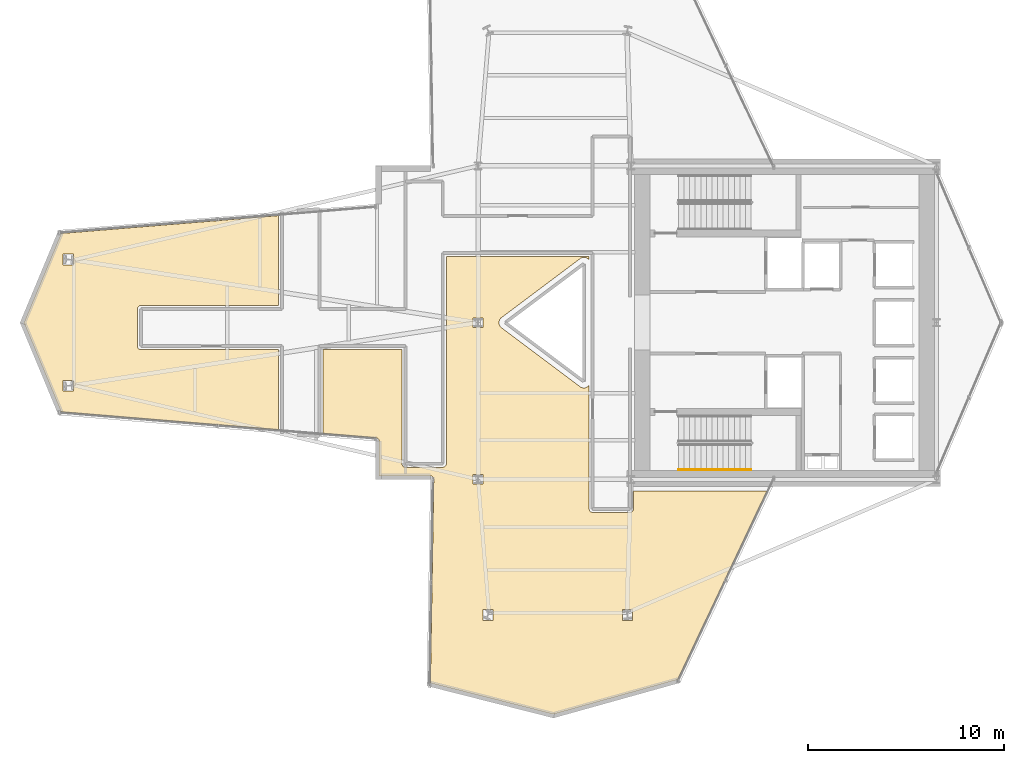
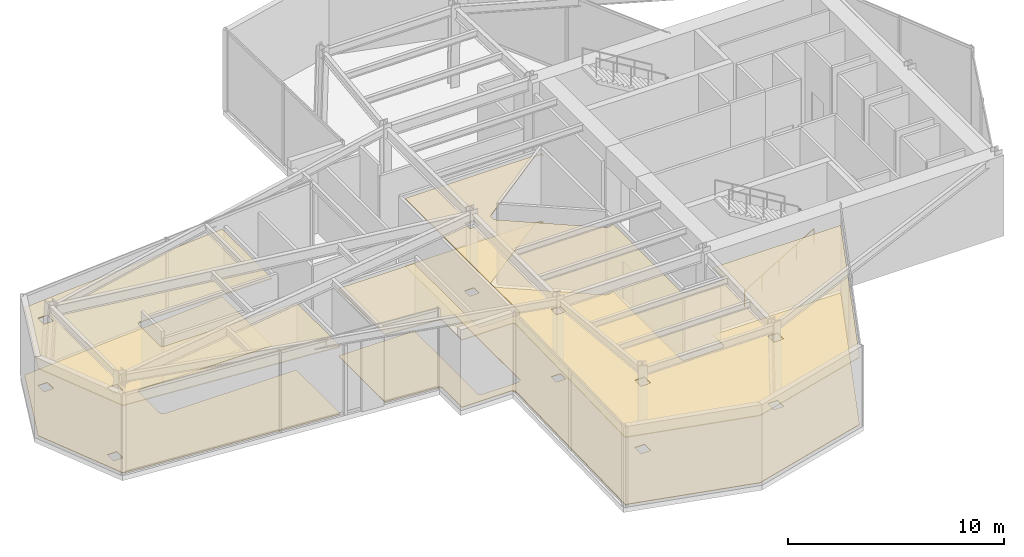
# One storey, part 12 of 13: 4 coverings, 1 railing.
"""IFC4 building model written with IfcOpenShell, lengths in metres."""

from ifc_helpers import new_model, si_unit, direction, frame, origin, origin_2d, place, context, subcontext, project, spatial, polyline, circle, outline, extrude, material, layer, layer_set, type_object, element, save


model = new_model("IFC4")

# Units and contexts
model_context = context("Model", 3, precision=1e-05, world=origin(), true_north=direction((0.0, 1.0)))
body_context = subcontext(model_context, "Body", "Model", "MODEL_VIEW")
ifc_project = project(units=[si_unit("LENGTHUNIT", "METRE"), si_unit("AREAUNIT", "SQUARE_METRE"), si_unit("VOLUMEUNIT", "CUBIC_METRE"), si_unit("PLANEANGLEUNIT", "RADIAN"), si_unit("MASSUNIT", "GRAM", prefix="KILO")], contexts=[model_context])

# Site, building, storey
site_placement = place(None, origin())
site = spatial("IfcSite", under=ifc_project, at=site_placement, CompositionType="ELEMENT")
building_placement = place(site_placement, origin())
building = spatial("IfcBuilding", under=site, at=building_placement, Name="Veymaron Broadcast Tower", CompositionType="ELEMENT")
storey_placement = place(building_placement, frame((0.0, 0.0, 112.050048828125)))
storey = spatial("IfcBuildingStorey", under=building, at=storey_placement, Name="L25", CompositionType="ELEMENT", Elevation=112.050048828125)

# Coverings
ifc_material_1 = material(Name="Micro-perforated dark-anodised aluminium baffle", Category="aluminium")
ifc_layer_1 = layer(ifc_material_1, 0.050048828125)
ifc_layer_set_1 = layer_set([ifc_layer_1], Name="Micro-perforated dark-anodised aluminium baffle")
covering_type_1 = type_object("IfcCoveringType", Name="COV-CEIL-MTL", PredefinedType="CEILING", material=ifc_layer_set_1)
covering_1_placement = place(storey_placement, frame((0.0, 0.0, 3.7900390625)))
element("IfcCovering", 1, at=covering_1_placement, inside=storey, type_object=covering_type_1, Name="L25 suspended acoustic ceiling 1", PredefinedType="CEILING", context=body_context, shape_type="SweptSolid", body=[
    extrude(outline(polyline([(27.43115234375, 16.6337890625), (27.44775390625, 16.627685546875), (27.46484375, 16.62353515625), (27.482421875, 16.620849609375), (27.5, 16.6201171875), (29.39990234375, 16.6201171875), (29.41748046875, 16.620849609375), (29.43505859375, 16.62353515625), (29.452392578125, 16.627685546875), (29.468994140625, 16.6337890625), (29.48486328125, 16.641357421875), (29.5, 16.650390625), (29.51416015625, 16.660888671875), (29.52734375, 16.672607421875), (29.5390625, 16.685791015625), (29.5498046875, 16.699951171875), (29.55859375, 16.715087890625), (29.56640625, 16.731201171875), (29.572265625, 16.747802734375), (29.576416015625, 16.764892578125), (29.5791015625, 16.782470703125), (29.580078125, 16.800048828125), (29.580078125, 27.3701171875), (36.8701171875, 27.3701171875), (36.8701171875, 27.189453125), (36.863037109375, 27.198974609375), (36.852294921875, 27.212646484375), (36.8427734375, 27.223388671875), (36.830810546875, 27.23583984375), (36.820068359375, 27.24560546875), (36.806884765625, 27.2568359375), (36.79541015625, 27.265625), (36.78125, 27.275634765625), (36.76904296875, 27.283203125), (36.75390625, 27.291748046875), (36.740966796875, 27.298095703125), (36.72509765625, 27.30517578125), (36.711669921875, 27.310302734375), (36.6953125, 27.31591796875), (36.681396484375, 27.319580078125), (36.66455078125, 27.323486328125), (36.650390625, 27.326171875), (36.633056640625, 27.328125), (36.61865234375, 27.329345703125), (36.601318359375, 27.329833984375), (36.5869140625, 27.32958984375), (36.569580078125, 27.32861328125), (36.555419921875, 27.326904296875), (36.5380859375, 27.32421875), (36.524169921875, 27.321044921875), (36.50732421875, 27.316650390625), (36.49365234375, 27.312255859375), (36.477294921875, 27.306396484375), (36.464111328125, 27.300537109375), (36.448486328125, 27.29296875), (36.435791015625, 27.2861328125), (36.4208984375, 27.277099609375), (36.4091796875, 27.26904296875), (36.402099609375, 27.263916015625), (32.402099609375, 24.263916015625), (32.39501953125, 24.258544921875), (32.3837890625, 24.249267578125), (32.370849609375, 24.2373046875), (32.360595703125, 24.22705078125), (32.348876953125, 24.2138671875), (32.339599609375, 24.20263671875), (32.3291015625, 24.1884765625), (32.321044921875, 24.17626953125), (32.31201171875, 24.1611328125), (32.305419921875, 24.148193359375), (32.2978515625, 24.13232421875), (32.292236328125, 24.118896484375), (32.286376953125, 24.102294921875), (32.281982421875, 24.088134765625), (32.27783203125, 24.0712890625), (32.27490234375, 24.056884765625), (32.2724609375, 24.039306640625), (32.27099609375, 24.02490234375), (32.270263671875, 24.00732421875), (32.270263671875, 23.99267578125), (32.27099609375, 23.97509765625), (32.2724609375, 23.960693359375), (32.27490234375, 23.943115234375), (32.27783203125, 23.9287109375), (32.281982421875, 23.911865234375), (32.286376953125, 23.897705078125), (32.292236328125, 23.881103515625), (32.2978515625, 23.86767578125), (32.305419921875, 23.851806640625), (32.31201171875, 23.8388671875), (32.321044921875, 23.82373046875), (32.3291015625, 23.8115234375), (32.339599609375, 23.79736328125), (32.348876953125, 23.7861328125), (32.360595703125, 23.77294921875), (32.370849609375, 23.7626953125), (32.3837890625, 23.750732421875), (32.39501953125, 23.741455078125), (32.402099609375, 23.736083984375), (36.402099609375, 20.736083984375), (36.4091796875, 20.73095703125), (36.4208984375, 20.722900390625), (36.435791015625, 20.7138671875), (36.448486328125, 20.70703125), (36.464111328125, 20.699462890625), (36.477294921875, 20.693603515625), (36.49365234375, 20.687744140625), (36.50732421875, 20.683349609375), (36.524169921875, 20.678955078125), (36.5380859375, 20.67578125), (36.555419921875, 20.673095703125), (36.569580078125, 20.67138671875), (36.5869140625, 20.67041015625), (36.601318359375, 20.670166015625), (36.61865234375, 20.670654296875), (36.633056640625, 20.671875), (36.650390625, 20.673828125), (36.66455078125, 20.676513671875), (36.681396484375, 20.680419921875), (36.6953125, 20.68408203125), (36.711669921875, 20.689697265625), (36.72509765625, 20.69482421875), (36.740966796875, 20.701904296875), (36.75390625, 20.708251953125), (36.76904296875, 20.716796875), (36.78125, 20.724365234375), (36.79541015625, 20.734375), (36.806884765625, 20.7431640625), (36.820068359375, 20.75439453125), (36.830810546875, 20.76416015625), (36.8427734375, 20.776611328125), (36.852294921875, 20.787353515625), (36.863037109375, 20.801025390625), (36.8701171875, 20.810546875), (36.8701171875, 14.5), (36.870849609375, 14.482421875), (36.87353515625, 14.46484375), (36.877685546875, 14.44775390625), (36.8837890625, 14.43115234375), (36.891357421875, 14.4150390625), (36.900390625, 14.39990234375), (36.910888671875, 14.3857421875), (36.922607421875, 14.372802734375), (36.935791015625, 14.36083984375), (36.949951171875, 14.350341796875), (36.965087890625, 14.34130859375), (36.981201171875, 14.333740234375), (36.997802734375, 14.327880859375), (37.014892578125, 14.323486328125), (37.032470703125, 14.32080078125), (37.050048828125, 14.320068359375), (38.949951171875, 14.320068359375), (38.967529296875, 14.32080078125), (38.985107421875, 14.323486328125), (39.002197265625, 14.327880859375), (39.018798828125, 14.333740234375), (39.034912109375, 14.34130859375), (39.050048828125, 14.350341796875), (39.064208984375, 14.36083984375), (39.077392578125, 14.372802734375), (39.089111328125, 14.3857421875), (39.099609375, 14.39990234375), (39.108642578125, 14.4150390625), (39.1162109375, 14.43115234375), (39.122314453125, 14.44775390625), (39.12646484375, 14.46484375), (39.129150390625, 14.482421875), (39.1298828125, 14.5), (39.1298828125, 15.419921875), (45.947998046875, 15.419921875), (41.388427734375, 5.783203125), (35.0498046875, 4.014404296875), (28.770263671875, 5.607421875), (28.942626953125, 15.9970703125), (28.942138671875, 16.014892578125), (28.939697265625, 16.03271484375), (28.935546875, 16.0498046875), (28.9296875, 16.06689453125), (28.92236328125, 16.0830078125), (28.913330078125, 16.098388671875), (28.90283203125, 16.11279296875), (28.89111328125, 16.126220703125), (28.8779296875, 16.13818359375), (28.863525390625, 16.14892578125), (28.848388671875, 16.158203125), (28.832275390625, 16.166015625), (28.8154296875, 16.172119140625), (28.798095703125, 16.176513671875), (28.780517578125, 16.17919921875), (28.7626953125, 16.179931640625), (26.156005859375, 16.179931640625), (26.156005859375, 17.94873046875), (26.155029296875, 17.966552734375), (26.152587890625, 17.984130859375), (26.148193359375, 18.00146484375), (26.14208984375, 18.018310546875), (26.13427734375, 18.034423828125), (26.125, 18.0498046875), (26.1142578125, 18.06396484375), (26.102294921875, 18.0771484375), (26.0888671875, 18.089111328125), (26.074462890625, 18.099365234375), (26.058837890625, 18.1083984375), (26.042724609375, 18.115966796875), (26.02587890625, 18.12158203125), (26.00830078125, 18.125732421875), (25.99072265625, 18.128173828125), (23.280029296875, 18.3505859375), (23.280029296875, 22.6201171875), (27.320068359375, 22.6201171875), (27.320068359375, 16.800048828125), (27.32080078125, 16.782470703125), (27.323486328125, 16.764892578125), (27.327880859375, 16.747802734375), (27.333740234375, 16.731201171875), (27.34130859375, 16.715087890625), (27.350341796875, 16.699951171875), (27.36083984375, 16.685791015625), (27.372802734375, 16.672607421875), (27.3857421875, 16.660888671875), (27.39990234375, 16.650390625), (27.4150390625, 16.641357421875), (27.43115234375, 16.6337890625)]), holes=[polyline([(39.0791015625, 9.357421875), (38.56103515625, 9.357421875), (38.56103515625, 8.802490234375), (39.0791015625, 8.802490234375), (39.0791015625, 9.357421875)]), polyline([(31.445068359375, 9.357421875), (31.445068359375, 8.802490234375), (31.962890625, 8.802490234375), (31.962890625, 9.357421875), (31.445068359375, 9.357421875)]), polyline([(30.950927734375, 16.243408203125), (30.950927734375, 15.756591796875), (31.448974609375, 15.756591796875), (31.448974609375, 16.243408203125), (30.950927734375, 16.243408203125)]), polyline([(31.448974609375, 24.243408203125), (30.950927734375, 24.243408203125), (30.950927734375, 23.756591796875), (31.448974609375, 23.756591796875), (31.448974609375, 24.243408203125)])]), origin(), (0.0, 0.0, 1.0), 0.0498046875),
])
covering_2_placement = place(storey_placement, frame((0.0, 0.0, 3.7900390625)))
element("IfcCovering", 2, at=covering_2_placement, inside=storey, type_object=covering_type_1, Name="L25 suspended acoustic ceiling 2", PredefinedType="CEILING", context=body_context, shape_type="SweptSolid", body=[
    extrude(outline(polyline([(13.850341796875, 24.800048828125), (13.84130859375, 24.784912109375), (13.833740234375, 24.768798828125), (13.827880859375, 24.752197265625), (13.823486328125, 24.735107421875), (13.82080078125, 24.717529296875), (13.820068359375, 24.699951171875), (13.820068359375, 22.800048828125), (13.82080078125, 22.782470703125), (13.823486328125, 22.764892578125), (13.827880859375, 22.747802734375), (13.833740234375, 22.731201171875), (13.84130859375, 22.715087890625), (13.850341796875, 22.699951171875), (13.86083984375, 22.685791015625), (13.872802734375, 22.672607421875), (13.8857421875, 22.660888671875), (13.89990234375, 22.650390625), (13.9150390625, 22.641357421875), (13.93115234375, 22.6337890625), (13.94775390625, 22.627685546875), (13.96484375, 22.62353515625), (13.982421875, 22.620849609375), (14.0, 22.6201171875), (21.02001953125, 22.6201171875), (21.02001953125, 18.5361328125), (9.924072265625, 19.44677734375), (8.027099609375, 24.0), (9.924072265625, 28.55322265625), (21.02001953125, 29.4638671875), (21.02001953125, 24.8798828125), (14.0, 24.8798828125), (13.982421875, 24.879150390625), (13.96484375, 24.87646484375), (13.94775390625, 24.872314453125), (13.93115234375, 24.8662109375), (13.9150390625, 24.858642578125), (13.89990234375, 24.849609375), (13.8857421875, 24.839111328125), (13.872802734375, 24.827392578125), (13.86083984375, 24.814208984375), (13.850341796875, 24.800048828125)]), holes=[polyline([(10.02490234375, 21.0576171875), (10.02490234375, 20.50244140625), (10.54296875, 20.50244140625), (10.54296875, 21.0576171875), (10.02490234375, 21.0576171875)]), polyline([(10.54296875, 27.49755859375), (10.02490234375, 27.49755859375), (10.02490234375, 26.9423828125), (10.54296875, 26.9423828125), (10.54296875, 27.49755859375)])]), origin(), (0.0, 0.0, 1.0), 0.0498046875),
])
ifc_material_2 = material(Name="Honed Saudi basalt stone flooring", Category="masonry")
ifc_layer_2 = layer(ifc_material_2, 0.030029296875)
ifc_layer_set_2 = layer_set([ifc_layer_2], Name="Honed Saudi basalt stone flooring")
covering_type_2 = type_object("IfcCoveringType", Name="COV-FLR-STN", PredefinedType="FLOORING", material=ifc_layer_set_2)
covering_3_placement = place(storey_placement, origin())
element("IfcCovering", 3, at=covering_3_placement, inside=storey, type_object=covering_type_2, Name="L25 finished flooring 1", PredefinedType="FLOORING", context=body_context, shape_type="SweptSolid", body=[
    extrude(outline(polyline([(27.43115234375, 16.6337890625), (27.44775390625, 16.627685546875), (27.46484375, 16.62353515625), (27.482421875, 16.620849609375), (27.5, 16.6201171875), (29.39990234375, 16.6201171875), (29.41748046875, 16.620849609375), (29.43505859375, 16.62353515625), (29.452392578125, 16.627685546875), (29.468994140625, 16.6337890625), (29.48486328125, 16.641357421875), (29.5, 16.650390625), (29.51416015625, 16.660888671875), (29.52734375, 16.672607421875), (29.5390625, 16.685791015625), (29.5498046875, 16.699951171875), (29.55859375, 16.715087890625), (29.56640625, 16.731201171875), (29.572265625, 16.747802734375), (29.576416015625, 16.764892578125), (29.5791015625, 16.782470703125), (29.580078125, 16.800048828125), (29.580078125, 27.3701171875), (36.8701171875, 27.3701171875), (36.8701171875, 27.189453125), (36.863037109375, 27.198974609375), (36.852294921875, 27.212646484375), (36.8427734375, 27.223388671875), (36.830810546875, 27.23583984375), (36.820068359375, 27.24560546875), (36.806884765625, 27.2568359375), (36.79541015625, 27.265625), (36.78125, 27.275634765625), (36.76904296875, 27.283203125), (36.75390625, 27.291748046875), (36.740966796875, 27.298095703125), (36.72509765625, 27.30517578125), (36.711669921875, 27.310302734375), (36.6953125, 27.31591796875), (36.681396484375, 27.319580078125), (36.66455078125, 27.323486328125), (36.650390625, 27.326171875), (36.633056640625, 27.328125), (36.61865234375, 27.329345703125), (36.601318359375, 27.329833984375), (36.5869140625, 27.32958984375), (36.569580078125, 27.32861328125), (36.555419921875, 27.326904296875), (36.5380859375, 27.32421875), (36.524169921875, 27.321044921875), (36.50732421875, 27.316650390625), (36.49365234375, 27.312255859375), (36.477294921875, 27.306396484375), (36.464111328125, 27.300537109375), (36.448486328125, 27.29296875), (36.435791015625, 27.2861328125), (36.4208984375, 27.277099609375), (36.4091796875, 27.26904296875), (36.402099609375, 27.263916015625), (32.402099609375, 24.263916015625), (32.39501953125, 24.258544921875), (32.3837890625, 24.249267578125), (32.370849609375, 24.2373046875), (32.360595703125, 24.22705078125), (32.348876953125, 24.2138671875), (32.339599609375, 24.20263671875), (32.3291015625, 24.1884765625), (32.321044921875, 24.17626953125), (32.31201171875, 24.1611328125), (32.305419921875, 24.148193359375), (32.2978515625, 24.13232421875), (32.292236328125, 24.118896484375), (32.286376953125, 24.102294921875), (32.281982421875, 24.088134765625), (32.27783203125, 24.0712890625), (32.27490234375, 24.056884765625), (32.2724609375, 24.039306640625), (32.27099609375, 24.02490234375), (32.270263671875, 24.00732421875), (32.270263671875, 23.99267578125), (32.27099609375, 23.97509765625), (32.2724609375, 23.960693359375), (32.27490234375, 23.943115234375), (32.27783203125, 23.9287109375), (32.281982421875, 23.911865234375), (32.286376953125, 23.897705078125), (32.292236328125, 23.881103515625), (32.2978515625, 23.86767578125), (32.305419921875, 23.851806640625), (32.31201171875, 23.8388671875), (32.321044921875, 23.82373046875), (32.3291015625, 23.8115234375), (32.339599609375, 23.79736328125), (32.348876953125, 23.7861328125), (32.360595703125, 23.77294921875), (32.370849609375, 23.7626953125), (32.3837890625, 23.750732421875), (32.39501953125, 23.741455078125), (32.402099609375, 23.736083984375), (36.402099609375, 20.736083984375), (36.4091796875, 20.73095703125), (36.4208984375, 20.722900390625), (36.435791015625, 20.7138671875), (36.448486328125, 20.70703125), (36.464111328125, 20.699462890625), (36.477294921875, 20.693603515625), (36.49365234375, 20.687744140625), (36.50732421875, 20.683349609375), (36.524169921875, 20.678955078125), (36.5380859375, 20.67578125), (36.555419921875, 20.673095703125), (36.569580078125, 20.67138671875), (36.5869140625, 20.67041015625), (36.601318359375, 20.670166015625), (36.61865234375, 20.670654296875), (36.633056640625, 20.671875), (36.650390625, 20.673828125), (36.66455078125, 20.676513671875), (36.681396484375, 20.680419921875), (36.6953125, 20.68408203125), (36.711669921875, 20.689697265625), (36.72509765625, 20.69482421875), (36.740966796875, 20.701904296875), (36.75390625, 20.708251953125), (36.76904296875, 20.716796875), (36.78125, 20.724365234375), (36.79541015625, 20.734375), (36.806884765625, 20.7431640625), (36.820068359375, 20.75439453125), (36.830810546875, 20.76416015625), (36.8427734375, 20.776611328125), (36.852294921875, 20.787353515625), (36.863037109375, 20.801025390625), (36.8701171875, 20.810546875), (36.8701171875, 14.5), (36.870849609375, 14.482421875), (36.87353515625, 14.46484375), (36.877685546875, 14.44775390625), (36.8837890625, 14.43115234375), (36.891357421875, 14.4150390625), (36.900390625, 14.39990234375), (36.910888671875, 14.3857421875), (36.922607421875, 14.372802734375), (36.935791015625, 14.36083984375), (36.949951171875, 14.350341796875), (36.965087890625, 14.34130859375), (36.981201171875, 14.333740234375), (36.997802734375, 14.327880859375), (37.014892578125, 14.323486328125), (37.032470703125, 14.32080078125), (37.050048828125, 14.320068359375), (38.949951171875, 14.320068359375), (38.967529296875, 14.32080078125), (38.985107421875, 14.323486328125), (39.002197265625, 14.327880859375), (39.018798828125, 14.333740234375), (39.034912109375, 14.34130859375), (39.050048828125, 14.350341796875), (39.064208984375, 14.36083984375), (39.077392578125, 14.372802734375), (39.089111328125, 14.3857421875), (39.099609375, 14.39990234375), (39.108642578125, 14.4150390625), (39.1162109375, 14.43115234375), (39.122314453125, 14.44775390625), (39.12646484375, 14.46484375), (39.129150390625, 14.482421875), (39.1298828125, 14.5), (39.1298828125, 15.419921875), (45.947998046875, 15.419921875), (41.388427734375, 5.783203125), (35.0498046875, 4.014404296875), (28.770263671875, 5.607421875), (28.942626953125, 15.9970703125), (28.942138671875, 16.014892578125), (28.939697265625, 16.03271484375), (28.935546875, 16.0498046875), (28.9296875, 16.06689453125), (28.92236328125, 16.0830078125), (28.913330078125, 16.098388671875), (28.90283203125, 16.11279296875), (28.89111328125, 16.126220703125), (28.8779296875, 16.13818359375), (28.863525390625, 16.14892578125), (28.848388671875, 16.158203125), (28.832275390625, 16.166015625), (28.8154296875, 16.172119140625), (28.798095703125, 16.176513671875), (28.780517578125, 16.17919921875), (28.7626953125, 16.179931640625), (26.156005859375, 16.179931640625), (26.156005859375, 17.94873046875), (26.155029296875, 17.966552734375), (26.152587890625, 17.984130859375), (26.148193359375, 18.00146484375), (26.14208984375, 18.018310546875), (26.13427734375, 18.034423828125), (26.125, 18.0498046875), (26.1142578125, 18.06396484375), (26.102294921875, 18.0771484375), (26.0888671875, 18.089111328125), (26.074462890625, 18.099365234375), (26.058837890625, 18.1083984375), (26.042724609375, 18.115966796875), (26.02587890625, 18.12158203125), (26.00830078125, 18.125732421875), (25.99072265625, 18.128173828125), (23.280029296875, 18.3505859375), (23.280029296875, 22.6201171875), (27.320068359375, 22.6201171875), (27.320068359375, 16.800048828125), (27.32080078125, 16.782470703125), (27.323486328125, 16.764892578125), (27.327880859375, 16.747802734375), (27.333740234375, 16.731201171875), (27.34130859375, 16.715087890625), (27.350341796875, 16.699951171875), (27.36083984375, 16.685791015625), (27.372802734375, 16.672607421875), (27.3857421875, 16.660888671875), (27.39990234375, 16.650390625), (27.4150390625, 16.641357421875), (27.43115234375, 16.6337890625)]), holes=[polyline([(39.0791015625, 9.357421875), (38.56103515625, 9.357421875), (38.56103515625, 8.802490234375), (39.0791015625, 8.802490234375), (39.0791015625, 9.357421875)]), polyline([(31.445068359375, 9.357421875), (31.445068359375, 8.802490234375), (31.962890625, 8.802490234375), (31.962890625, 9.357421875), (31.445068359375, 9.357421875)]), polyline([(30.950927734375, 16.243408203125), (30.950927734375, 15.756591796875), (31.448974609375, 15.756591796875), (31.448974609375, 16.243408203125), (30.950927734375, 16.243408203125)]), polyline([(31.448974609375, 24.243408203125), (30.950927734375, 24.243408203125), (30.950927734375, 23.756591796875), (31.448974609375, 23.756591796875), (31.448974609375, 24.243408203125)])]), origin(), (0.0, 0.0, 1.0), 0.030029296875),
])
covering_4_placement = place(storey_placement, origin())
element("IfcCovering", 4, at=covering_4_placement, inside=storey, type_object=covering_type_2, Name="L25 finished flooring 2", PredefinedType="FLOORING", context=body_context, shape_type="SweptSolid", body=[
    extrude(outline(polyline([(13.850341796875, 24.800048828125), (13.84130859375, 24.784912109375), (13.833740234375, 24.768798828125), (13.827880859375, 24.752197265625), (13.823486328125, 24.735107421875), (13.82080078125, 24.717529296875), (13.820068359375, 24.699951171875), (13.820068359375, 22.800048828125), (13.82080078125, 22.782470703125), (13.823486328125, 22.764892578125), (13.827880859375, 22.747802734375), (13.833740234375, 22.731201171875), (13.84130859375, 22.715087890625), (13.850341796875, 22.699951171875), (13.86083984375, 22.685791015625), (13.872802734375, 22.672607421875), (13.8857421875, 22.660888671875), (13.89990234375, 22.650390625), (13.9150390625, 22.641357421875), (13.93115234375, 22.6337890625), (13.94775390625, 22.627685546875), (13.96484375, 22.62353515625), (13.982421875, 22.620849609375), (14.0, 22.6201171875), (21.02001953125, 22.6201171875), (21.02001953125, 18.5361328125), (9.924072265625, 19.44677734375), (8.027099609375, 24.0), (9.924072265625, 28.55322265625), (21.02001953125, 29.4638671875), (21.02001953125, 24.8798828125), (14.0, 24.8798828125), (13.982421875, 24.879150390625), (13.96484375, 24.87646484375), (13.94775390625, 24.872314453125), (13.93115234375, 24.8662109375), (13.9150390625, 24.858642578125), (13.89990234375, 24.849609375), (13.8857421875, 24.839111328125), (13.872802734375, 24.827392578125), (13.86083984375, 24.814208984375), (13.850341796875, 24.800048828125)]), holes=[polyline([(10.02490234375, 21.0576171875), (10.02490234375, 20.50244140625), (10.54296875, 20.50244140625), (10.54296875, 21.0576171875), (10.02490234375, 21.0576171875)]), polyline([(10.54296875, 27.49755859375), (10.02490234375, 27.49755859375), (10.02490234375, 26.9423828125), (10.54296875, 26.9423828125), (10.54296875, 27.49755859375)])]), origin(), (0.0, 0.0, 1.0), 0.030029296875),
])

# Railing
ifc_material_3 = material(Name="Brushed stainless steel AISI 304", Category="steel")
railing_type = type_object("IfcRailingType", Name="RAIL-STAIR-HR", PredefinedType="HANDRAIL", material=ifc_material_3)
railing_placement = place(storey_placement, frame((41.429931640625, 16.5, 0.17138671875)))
element("IfcRailing", 5, at=railing_placement, inside=storey, type_object=railing_type, Name="L25 ST2 stair handrail 1", PredefinedType="HANDRAIL", context=body_context, shape_type="SweptSolid", body=[
    extrude(circle(Radius=0.02392578125, at=origin_2d()), frame((0.0, 0.0, 0.8759765625), z_axis=(0.856934400257, 0.0, 0.515425487977), x_axis=(0.0, 1.0, 0.0)), (0.0, 0.0, 1.0), 4.32373046875),
    extrude(circle(Radius=0.02099609375, at=origin_2d()), origin(), (0.0, 0.0, 1.0), 0.851806640625),
    extrude(circle(Radius=0.02099609375, at=origin_2d()), frame((0.92626953125, 0.0, 0.55712890625)), (0.0, 0.0, 1.0), 0.851806640625),
    extrude(circle(Radius=0.02099609375, at=origin_2d()), frame((1.8525390625, 0.0, 1.1142578125)), (0.0, 0.0, 1.0), 0.851806640625),
    extrude(circle(Radius=0.02099609375, at=origin_2d()), frame((2.77880859375, 0.0, 1.67138671875)), (0.0, 0.0, 1.0), 0.851806640625),
    extrude(circle(Radius=0.02099609375, at=origin_2d()), frame((3.705078125, 0.0, 2.228515625)), (0.0, 0.0, 1.0), 0.851806640625),
])

save(model, "model.ifc")
